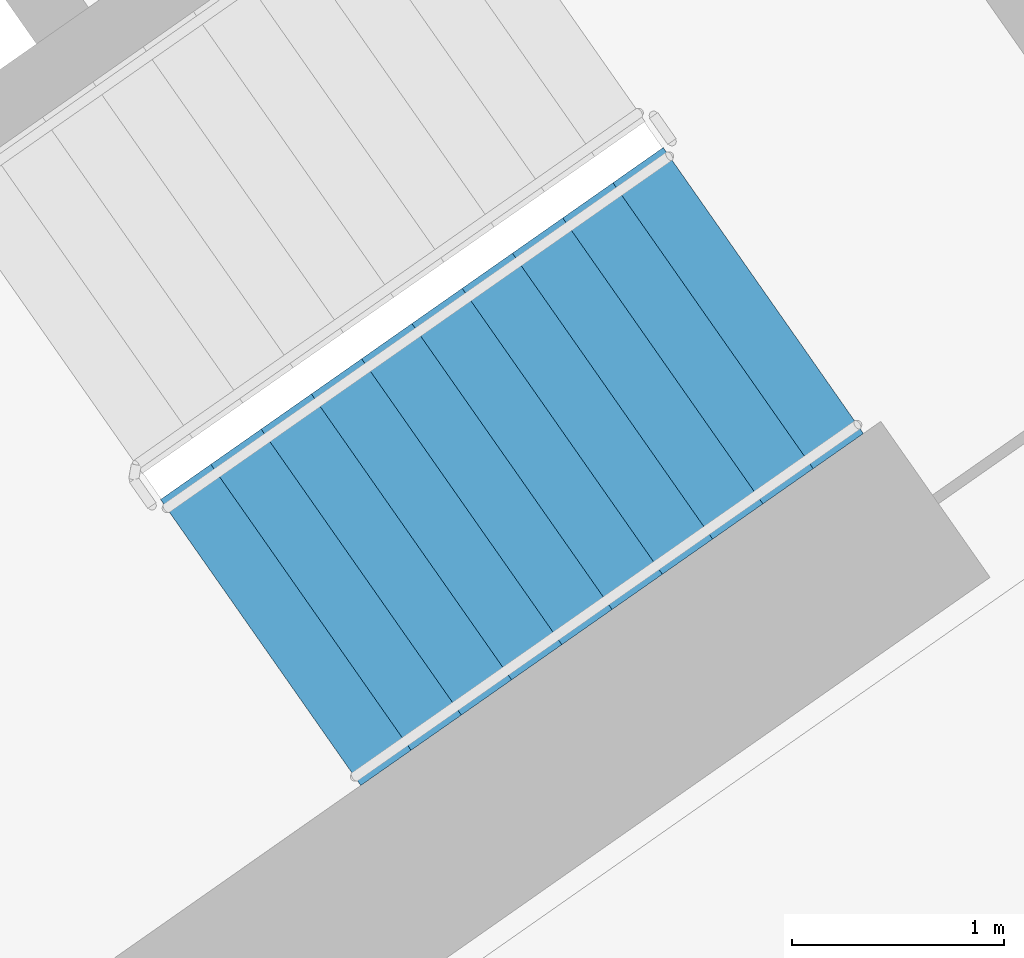
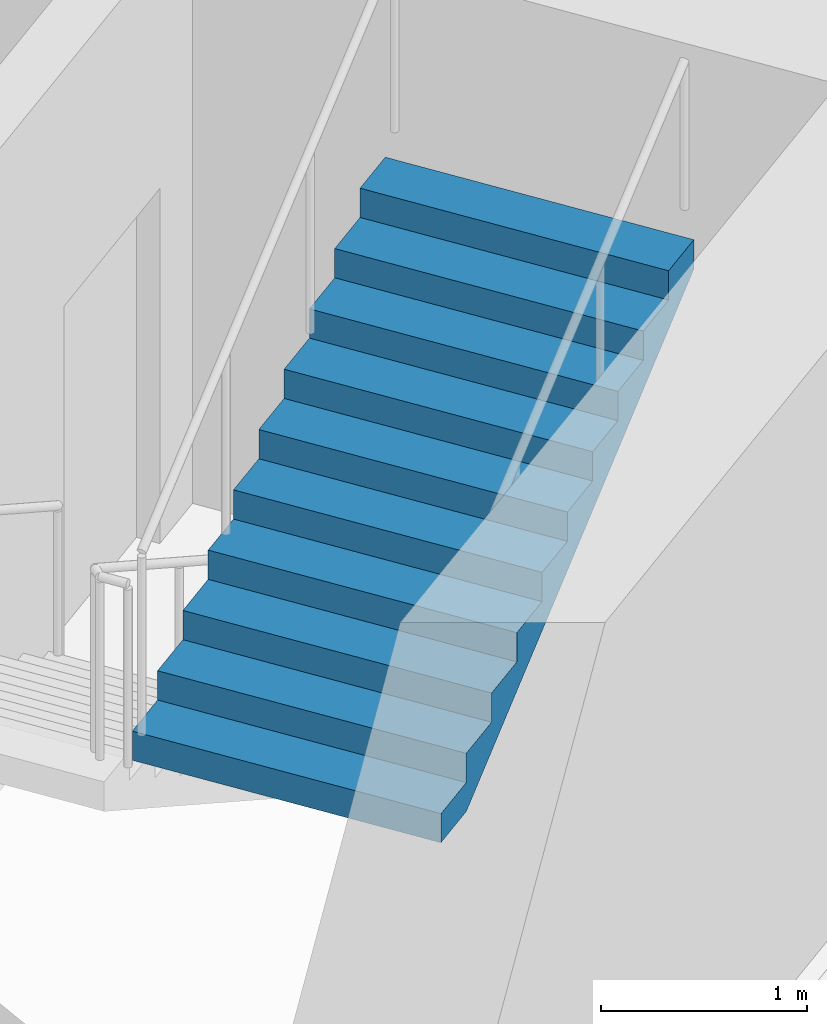
# One storey, part 16 of 30: 1 stair flight, 1 element without a shape of its own.
"""IFC4 building model written with IfcOpenShell, lengths in metres."""

from ifc_helpers import new_model, si_unit, direction, frame, origin, place, context, subcontext, project, spatial, faceted_brep, material, type_object, element, aggregate, save


model = new_model("IFC4")

# Units and contexts
model_context = context("Model", 3, precision=1e-05, world=origin(), true_north=direction((0.0, 1.0)))
body_context = subcontext(model_context, "Body", "Model", "MODEL_VIEW")
ifc_project = project(units=[si_unit("LENGTHUNIT", "METRE"), si_unit("AREAUNIT", "SQUARE_METRE"), si_unit("VOLUMEUNIT", "CUBIC_METRE"), si_unit("PLANEANGLEUNIT", "RADIAN"), si_unit("MASSUNIT", "GRAM", prefix="KILO")], contexts=[model_context])

# Site, building, storey
site_placement = place(None, origin())
site = spatial("IfcSite", under=ifc_project, at=site_placement, CompositionType="ELEMENT")
building_placement = place(site_placement, origin())
building = spatial("IfcBuilding", under=site, at=building_placement, Name="Qamariyya Broadcast Tower", CompositionType="ELEMENT")
storey_placement = place(building_placement, frame((0.0, 0.0, 117.699951171875)))
storey = spatial("IfcBuildingStorey", under=building, at=storey_placement, Name="L26", CompositionType="ELEMENT", Elevation=117.699951171875)

# Stair, stair flight
ifc_material = material(Name="Concrete C50/60", Category="concrete")
stair_type = type_object("IfcStairType", Name="Exit stair 22 risers of 173 mm", PredefinedType="HALF_TURN_STAIR", material=ifc_material)
stair_placement = place(storey_placement, origin())
stair = element("IfcStair", 1, at=stair_placement, inside=storey, type_object=stair_type, Name="L26 Stair E1", PredefinedType="HALF_TURN_STAIR")
stair_flight_type = type_object("IfcStairFlightType", Name="Exit stair flight 11 risers of 173 mm", PredefinedType="STRAIGHT", material=ifc_material)
stair_flight_placement = place(storey_placement, frame((44.693359375, -58.64599609375, 1.900146484375), z_axis=(0.0, 0.0, 1.0), x_axis=(0.819152044289, 0.573576436351, 0.0)))
stair_flight = element("IfcStairFlight", 2, at=stair_flight_placement, type_object=stair_flight_type, Name="ST-E1 flight 2", NumberOfRisers=11, NumberOfTreads=10, PredefinedType="STRAIGHT", RiserHeight=0.172727273, TreadLength=0.29, context=body_context, shape_type="Brep", body=[
    faceted_brep([(0.0, 0.824951171875, 0.0), (0.0, 0.824951171875, 0.172607421875), (0.2900390625, 0.824951171875, 0.172607421875), (0.2900390625, 0.824951171875, 0.345458984375), (0.580078125, 0.824951171875, 0.345458984375), (0.580078125, 0.824951171875, 0.51806640625), (0.8701171875, 0.824951171875, 0.51806640625), (0.8701171875, 0.824951171875, 0.69091796875), (1.159912109375, 0.824951171875, 0.69091796875), (1.159912109375, 0.824951171875, 0.863525390625), (1.449951171875, 0.824951171875, 0.863525390625), (1.449951171875, 0.824951171875, 1.036376953125), (1.739990234375, 0.824951171875, 1.036376953125), (1.739990234375, 0.824951171875, 1.208984375), (2.030029296875, 0.824951171875, 1.208984375), (2.030029296875, 0.824951171875, 1.3818359375), (2.320068359375, 0.824951171875, 1.3818359375), (2.320068359375, 0.824951171875, 1.554443359375), (2.610107421875, 0.824951171875, 1.554443359375), (2.610107421875, 0.824951171875, 1.727294921875), (2.89990234375, 0.824951171875, 1.727294921875), (2.89990234375, 0.824951171875, 1.552734375), (0.29296875, 0.824951171875, 0.0), (0.29296875, -0.824951171875, 0.0), (2.89990234375, -0.824951171875, 1.552734375), (2.89990234375, -0.824951171875, 1.727294921875), (2.610107421875, -0.824951171875, 1.727294921875), (2.610107421875, -0.824951171875, 1.554443359375), (2.320068359375, -0.824951171875, 1.554443359375), (2.320068359375, -0.824951171875, 1.3818359375), (2.030029296875, -0.824951171875, 1.3818359375), (2.030029296875, -0.824951171875, 1.208984375), (1.739990234375, -0.824951171875, 1.208984375), (1.739990234375, -0.824951171875, 1.036376953125), (1.449951171875, -0.824951171875, 1.036376953125), (1.449951171875, -0.824951171875, 0.863525390625), (1.159912109375, -0.824951171875, 0.863525390625), (1.159912109375, -0.824951171875, 0.69091796875), (0.8701171875, -0.824951171875, 0.69091796875), (0.8701171875, -0.824951171875, 0.51806640625), (0.580078125, -0.824951171875, 0.51806640625), (0.580078125, -0.824951171875, 0.345458984375), (0.2900390625, -0.824951171875, 0.345458984375), (0.2900390625, -0.824951171875, 0.172607421875), (0.0, -0.824951171875, 0.172607421875), (0.0, -0.824951171875, 0.0), (0.0, 0.10009765625, 0.0), (0.0, 0.086669921875, 0.0), (0.0, 0.0732421875, 0.0), (0.0, 0.06005859375, 0.0), (0.0, 0.046630859375, 0.0), (0.0, 0.033447265625, 0.0), (0.0, 0.02001953125, 0.0), (0.0, 0.006591796875, 0.0), (0.0, -0.006591796875, 0.0), (0.0, -0.02001953125, 0.0), (0.0, -0.033447265625, 0.0), (0.0, -0.046630859375, 0.0), (0.0, -0.06005859375, 0.0), (0.0, -0.0732421875, 0.0), (0.0, -0.086669921875, 0.0), (0.0, -0.10009765625, 0.0), (0.0, -0.10009765625, 0.172607421875), (0.0, -0.086669921875, 0.172607421875), (0.0, -0.0732421875, 0.172607421875), (0.0, -0.06005859375, 0.172607421875), (0.0, -0.046630859375, 0.172607421875), (0.0, -0.033447265625, 0.172607421875), (0.0, -0.02001953125, 0.172607421875), (0.0, -0.006591796875, 0.172607421875), (0.0, 0.006591796875, 0.172607421875), (0.0, 0.02001953125, 0.172607421875), (0.0, 0.033447265625, 0.172607421875), (0.0, 0.046630859375, 0.172607421875), (0.0, 0.06005859375, 0.172607421875), (0.0, 0.0732421875, 0.172607421875), (0.0, 0.086669921875, 0.172607421875), (0.0, 0.10009765625, 0.172607421875), (0.2900390625, -0.10009765625, 0.172607421875), (0.2900390625, -0.086669921875, 0.172607421875), (0.2900390625, -0.0732421875, 0.172607421875), (0.2900390625, -0.06005859375, 0.172607421875), (0.2900390625, -0.046630859375, 0.172607421875), (0.2900390625, -0.033447265625, 0.172607421875), (0.2900390625, -0.02001953125, 0.172607421875), (0.2900390625, -0.006591796875, 0.172607421875), (0.2900390625, 0.006591796875, 0.172607421875), (0.2900390625, 0.02001953125, 0.172607421875), (0.2900390625, 0.033447265625, 0.172607421875), (0.2900390625, 0.046630859375, 0.172607421875), (0.2900390625, 0.06005859375, 0.172607421875), (0.2900390625, 0.0732421875, 0.172607421875), (0.2900390625, 0.086669921875, 0.172607421875), (0.2900390625, 0.10009765625, 0.172607421875), (0.2900390625, -0.10009765625, 0.345458984375), (0.2900390625, -0.086669921875, 0.345458984375), (0.2900390625, -0.0732421875, 0.345458984375), (0.2900390625, -0.06005859375, 0.345458984375), (0.2900390625, -0.046630859375, 0.345458984375), (0.2900390625, -0.033447265625, 0.345458984375), (0.2900390625, -0.02001953125, 0.345458984375), (0.2900390625, -0.006591796875, 0.345458984375), (0.2900390625, 0.006591796875, 0.345458984375), (0.2900390625, 0.02001953125, 0.345458984375), (0.2900390625, 0.033447265625, 0.345458984375), (0.2900390625, 0.046630859375, 0.345458984375), (0.2900390625, 0.06005859375, 0.345458984375), (0.2900390625, 0.0732421875, 0.345458984375), (0.2900390625, 0.086669921875, 0.345458984375), (0.2900390625, 0.10009765625, 0.345458984375), (0.580078125, -0.10009765625, 0.345458984375), (0.580078125, -0.086669921875, 0.345458984375), (0.580078125, -0.0732421875, 0.345458984375), (0.580078125, -0.06005859375, 0.345458984375), (0.580078125, -0.046630859375, 0.345458984375), (0.580078125, -0.033447265625, 0.345458984375), (0.580078125, -0.02001953125, 0.345458984375), (0.580078125, -0.006591796875, 0.345458984375), (0.580078125, 0.006591796875, 0.345458984375), (0.580078125, 0.02001953125, 0.345458984375), (0.580078125, 0.033447265625, 0.345458984375), (0.580078125, 0.046630859375, 0.345458984375), (0.580078125, 0.06005859375, 0.345458984375), (0.580078125, 0.0732421875, 0.345458984375), (0.580078125, 0.086669921875, 0.345458984375), (0.580078125, 0.10009765625, 0.345458984375), (0.580078125, -0.10009765625, 0.51806640625), (0.580078125, -0.086669921875, 0.51806640625), (0.580078125, -0.0732421875, 0.51806640625), (0.580078125, -0.06005859375, 0.51806640625), (0.580078125, -0.046630859375, 0.51806640625), (0.580078125, -0.033447265625, 0.51806640625), (0.580078125, -0.02001953125, 0.51806640625), (0.580078125, -0.006591796875, 0.51806640625), (0.580078125, 0.006591796875, 0.51806640625), (0.580078125, 0.02001953125, 0.51806640625), (0.580078125, 0.033447265625, 0.51806640625), (0.580078125, 0.046630859375, 0.51806640625), (0.580078125, 0.06005859375, 0.51806640625), (0.580078125, 0.0732421875, 0.51806640625), (0.580078125, 0.086669921875, 0.51806640625), (0.580078125, 0.10009765625, 0.51806640625), (0.8701171875, -0.10009765625, 0.51806640625), (0.8701171875, -0.086669921875, 0.51806640625), (0.8701171875, -0.0732421875, 0.51806640625), (0.8701171875, -0.06005859375, 0.51806640625), (0.8701171875, -0.046630859375, 0.51806640625), (0.8701171875, -0.033447265625, 0.51806640625), (0.8701171875, -0.02001953125, 0.51806640625), (0.8701171875, -0.006591796875, 0.51806640625), (0.8701171875, 0.006591796875, 0.51806640625), (0.8701171875, 0.02001953125, 0.51806640625), (0.8701171875, 0.033447265625, 0.51806640625), (0.8701171875, 0.046630859375, 0.51806640625), (0.8701171875, 0.06005859375, 0.51806640625), (0.8701171875, 0.0732421875, 0.51806640625), (0.8701171875, 0.086669921875, 0.51806640625), (0.8701171875, 0.10009765625, 0.51806640625), (0.8701171875, -0.10009765625, 0.69091796875), (0.8701171875, -0.086669921875, 0.69091796875), (0.8701171875, -0.0732421875, 0.69091796875), (0.8701171875, -0.06005859375, 0.69091796875), (0.8701171875, -0.046630859375, 0.69091796875), (0.8701171875, -0.033447265625, 0.69091796875), (0.8701171875, -0.02001953125, 0.69091796875), (0.8701171875, -0.006591796875, 0.69091796875), (0.8701171875, 0.006591796875, 0.69091796875), (0.8701171875, 0.02001953125, 0.69091796875), (0.8701171875, 0.033447265625, 0.69091796875), (0.8701171875, 0.046630859375, 0.69091796875), (0.8701171875, 0.06005859375, 0.69091796875), (0.8701171875, 0.0732421875, 0.69091796875), (0.8701171875, 0.086669921875, 0.69091796875), (0.8701171875, 0.10009765625, 0.69091796875), (1.159912109375, -0.10009765625, 0.69091796875), (1.159912109375, -0.086669921875, 0.69091796875), (1.159912109375, -0.0732421875, 0.69091796875), (1.159912109375, -0.06005859375, 0.69091796875), (1.159912109375, -0.046630859375, 0.69091796875), (1.159912109375, -0.033447265625, 0.69091796875), (1.159912109375, -0.02001953125, 0.69091796875), (1.159912109375, -0.006591796875, 0.69091796875), (1.159912109375, 0.006591796875, 0.69091796875), (1.159912109375, 0.02001953125, 0.69091796875), (1.159912109375, 0.033447265625, 0.69091796875), (1.159912109375, 0.046630859375, 0.69091796875), (1.159912109375, 0.06005859375, 0.69091796875), (1.159912109375, 0.0732421875, 0.69091796875), (1.159912109375, 0.086669921875, 0.69091796875), (1.159912109375, 0.10009765625, 0.69091796875), (1.159912109375, -0.10009765625, 0.863525390625), (1.159912109375, -0.086669921875, 0.863525390625), (1.159912109375, -0.0732421875, 0.863525390625), (1.159912109375, -0.06005859375, 0.863525390625), (1.159912109375, -0.046630859375, 0.863525390625), (1.159912109375, -0.033447265625, 0.863525390625), (1.159912109375, -0.02001953125, 0.863525390625), (1.159912109375, -0.006591796875, 0.863525390625), (1.159912109375, 0.006591796875, 0.863525390625), (1.159912109375, 0.02001953125, 0.863525390625), (1.159912109375, 0.033447265625, 0.863525390625), (1.159912109375, 0.046630859375, 0.863525390625), (1.159912109375, 0.06005859375, 0.863525390625), (1.159912109375, 0.0732421875, 0.863525390625), (1.159912109375, 0.086669921875, 0.863525390625), (1.159912109375, 0.10009765625, 0.863525390625), (1.449951171875, -0.10009765625, 0.863525390625), (1.449951171875, -0.086669921875, 0.863525390625), (1.449951171875, -0.0732421875, 0.863525390625), (1.449951171875, -0.06005859375, 0.863525390625), (1.449951171875, -0.046630859375, 0.863525390625), (1.449951171875, -0.033447265625, 0.863525390625), (1.449951171875, -0.02001953125, 0.863525390625), (1.449951171875, -0.006591796875, 0.863525390625), (1.449951171875, 0.006591796875, 0.863525390625), (1.449951171875, 0.02001953125, 0.863525390625), (1.449951171875, 0.033447265625, 0.863525390625), (1.449951171875, 0.046630859375, 0.863525390625), (1.449951171875, 0.06005859375, 0.863525390625), (1.449951171875, 0.0732421875, 0.863525390625), (1.449951171875, 0.086669921875, 0.863525390625), (1.449951171875, 0.10009765625, 0.863525390625), (1.449951171875, -0.10009765625, 1.036376953125), (1.449951171875, -0.086669921875, 1.036376953125), (1.449951171875, -0.0732421875, 1.036376953125), (1.449951171875, -0.06005859375, 1.036376953125), (1.449951171875, -0.046630859375, 1.036376953125), (1.449951171875, -0.033447265625, 1.036376953125), (1.449951171875, -0.02001953125, 1.036376953125), (1.449951171875, -0.006591796875, 1.036376953125), (1.449951171875, 0.006591796875, 1.036376953125), (1.449951171875, 0.02001953125, 1.036376953125), (1.449951171875, 0.033447265625, 1.036376953125), (1.449951171875, 0.046630859375, 1.036376953125), (1.449951171875, 0.06005859375, 1.036376953125), (1.449951171875, 0.0732421875, 1.036376953125), (1.449951171875, 0.086669921875, 1.036376953125), (1.449951171875, 0.10009765625, 1.036376953125), (1.739990234375, -0.10009765625, 1.036376953125), (1.739990234375, -0.086669921875, 1.036376953125), (1.739990234375, -0.0732421875, 1.036376953125), (1.739990234375, -0.06005859375, 1.036376953125), (1.739990234375, -0.046630859375, 1.036376953125), (1.739990234375, -0.033447265625, 1.036376953125), (1.739990234375, -0.02001953125, 1.036376953125), (1.739990234375, -0.006591796875, 1.036376953125), (1.739990234375, 0.006591796875, 1.036376953125), (1.739990234375, 0.02001953125, 1.036376953125), (1.739990234375, 0.033447265625, 1.036376953125), (1.739990234375, 0.046630859375, 1.036376953125), (1.739990234375, 0.06005859375, 1.036376953125), (1.739990234375, 0.0732421875, 1.036376953125), (1.739990234375, 0.086669921875, 1.036376953125), (1.739990234375, 0.10009765625, 1.036376953125), (1.739990234375, -0.10009765625, 1.208984375), (1.739990234375, -0.086669921875, 1.208984375), (1.739990234375, -0.0732421875, 1.208984375), (1.739990234375, -0.06005859375, 1.208984375), (1.739990234375, -0.046630859375, 1.208984375), (1.739990234375, -0.033447265625, 1.208984375), (1.739990234375, -0.02001953125, 1.208984375), (1.739990234375, -0.006591796875, 1.208984375), (1.739990234375, 0.006591796875, 1.208984375), (1.739990234375, 0.02001953125, 1.208984375), (1.739990234375, 0.033447265625, 1.208984375), (1.739990234375, 0.046630859375, 1.208984375), (1.739990234375, 0.06005859375, 1.208984375), (1.739990234375, 0.0732421875, 1.208984375), (1.739990234375, 0.086669921875, 1.208984375), (1.739990234375, 0.10009765625, 1.208984375), (2.030029296875, -0.10009765625, 1.208984375), (2.030029296875, -0.086669921875, 1.208984375), (2.030029296875, -0.0732421875, 1.208984375), (2.030029296875, -0.06005859375, 1.208984375), (2.030029296875, -0.046630859375, 1.208984375), (2.030029296875, -0.033447265625, 1.208984375), (2.030029296875, -0.02001953125, 1.208984375), (2.030029296875, -0.006591796875, 1.208984375), (2.030029296875, 0.006591796875, 1.208984375), (2.030029296875, 0.02001953125, 1.208984375), (2.030029296875, 0.033447265625, 1.208984375), (2.030029296875, 0.046630859375, 1.208984375), (2.030029296875, 0.06005859375, 1.208984375), (2.030029296875, 0.0732421875, 1.208984375), (2.030029296875, 0.086669921875, 1.208984375), (2.030029296875, 0.10009765625, 1.208984375), (2.030029296875, -0.10009765625, 1.3818359375), (2.030029296875, -0.086669921875, 1.3818359375), (2.030029296875, -0.0732421875, 1.3818359375), (2.030029296875, -0.06005859375, 1.3818359375), (2.030029296875, -0.046630859375, 1.3818359375), (2.030029296875, -0.033447265625, 1.3818359375), (2.030029296875, -0.02001953125, 1.3818359375), (2.030029296875, -0.006591796875, 1.3818359375), (2.030029296875, 0.006591796875, 1.3818359375), (2.030029296875, 0.02001953125, 1.3818359375), (2.030029296875, 0.033447265625, 1.3818359375), (2.030029296875, 0.046630859375, 1.3818359375), (2.030029296875, 0.06005859375, 1.3818359375), (2.030029296875, 0.0732421875, 1.3818359375), (2.030029296875, 0.086669921875, 1.3818359375), (2.030029296875, 0.10009765625, 1.3818359375), (2.320068359375, -0.10009765625, 1.3818359375), (2.320068359375, -0.086669921875, 1.3818359375), (2.320068359375, -0.0732421875, 1.3818359375), (2.320068359375, -0.06005859375, 1.3818359375), (2.320068359375, -0.046630859375, 1.3818359375), (2.320068359375, -0.033447265625, 1.3818359375), (2.320068359375, -0.02001953125, 1.3818359375), (2.320068359375, -0.006591796875, 1.3818359375), (2.320068359375, 0.006591796875, 1.3818359375), (2.320068359375, 0.02001953125, 1.3818359375), (2.320068359375, 0.033447265625, 1.3818359375), (2.320068359375, 0.046630859375, 1.3818359375), (2.320068359375, 0.06005859375, 1.3818359375), (2.320068359375, 0.0732421875, 1.3818359375), (2.320068359375, 0.086669921875, 1.3818359375), (2.320068359375, 0.10009765625, 1.3818359375), (2.320068359375, -0.10009765625, 1.554443359375), (2.320068359375, -0.086669921875, 1.554443359375), (2.320068359375, -0.0732421875, 1.554443359375), (2.320068359375, -0.06005859375, 1.554443359375), (2.320068359375, -0.046630859375, 1.554443359375), (2.320068359375, -0.033447265625, 1.554443359375), (2.320068359375, -0.02001953125, 1.554443359375), (2.320068359375, -0.006591796875, 1.554443359375), (2.320068359375, 0.006591796875, 1.554443359375), (2.320068359375, 0.02001953125, 1.554443359375), (2.320068359375, 0.033447265625, 1.554443359375), (2.320068359375, 0.046630859375, 1.554443359375), (2.320068359375, 0.06005859375, 1.554443359375), (2.320068359375, 0.0732421875, 1.554443359375), (2.320068359375, 0.086669921875, 1.554443359375), (2.320068359375, 0.10009765625, 1.554443359375), (2.610107421875, -0.10009765625, 1.554443359375), (2.610107421875, -0.086669921875, 1.554443359375), (2.610107421875, -0.0732421875, 1.554443359375), (2.610107421875, -0.06005859375, 1.554443359375), (2.610107421875, -0.046630859375, 1.554443359375), (2.610107421875, -0.033447265625, 1.554443359375), (2.610107421875, -0.02001953125, 1.554443359375), (2.610107421875, -0.006591796875, 1.554443359375), (2.610107421875, 0.006591796875, 1.554443359375), (2.610107421875, 0.02001953125, 1.554443359375), (2.610107421875, 0.033447265625, 1.554443359375), (2.610107421875, 0.046630859375, 1.554443359375), (2.610107421875, 0.06005859375, 1.554443359375), (2.610107421875, 0.0732421875, 1.554443359375), (2.610107421875, 0.086669921875, 1.554443359375), (2.610107421875, 0.10009765625, 1.554443359375), (2.610107421875, -0.10009765625, 1.727294921875), (2.610107421875, -0.086669921875, 1.727294921875), (2.610107421875, -0.0732421875, 1.727294921875), (2.610107421875, -0.06005859375, 1.727294921875), (2.610107421875, -0.046630859375, 1.727294921875), (2.610107421875, -0.033447265625, 1.727294921875), (2.610107421875, -0.02001953125, 1.727294921875), (2.610107421875, -0.006591796875, 1.727294921875), (2.610107421875, 0.006591796875, 1.727294921875), (2.610107421875, 0.02001953125, 1.727294921875), (2.610107421875, 0.033447265625, 1.727294921875), (2.610107421875, 0.046630859375, 1.727294921875), (2.610107421875, 0.06005859375, 1.727294921875), (2.610107421875, 0.0732421875, 1.727294921875), (2.610107421875, 0.086669921875, 1.727294921875), (2.610107421875, 0.10009765625, 1.727294921875), (2.89990234375, -0.10009765625, 1.727294921875), (2.89990234375, -0.086669921875, 1.727294921875), (2.89990234375, -0.0732421875, 1.727294921875), (2.89990234375, -0.06005859375, 1.727294921875), (2.89990234375, -0.046630859375, 1.727294921875), (2.89990234375, -0.033447265625, 1.727294921875), (2.89990234375, -0.02001953125, 1.727294921875), (2.89990234375, -0.006591796875, 1.727294921875), (2.89990234375, 0.006591796875, 1.727294921875), (2.89990234375, 0.02001953125, 1.727294921875), (2.89990234375, 0.033447265625, 1.727294921875), (2.89990234375, 0.046630859375, 1.727294921875), (2.89990234375, 0.06005859375, 1.727294921875), (2.89990234375, 0.0732421875, 1.727294921875), (2.89990234375, 0.086669921875, 1.727294921875), (2.89990234375, 0.10009765625, 1.727294921875), (2.89990234375, -0.10009765625, 1.552734375), (2.89990234375, -0.086669921875, 1.552734375), (2.89990234375, -0.0732421875, 1.552734375), (2.89990234375, -0.06005859375, 1.552734375), (2.89990234375, -0.046630859375, 1.552734375), (2.89990234375, -0.033447265625, 1.552734375), (2.89990234375, -0.02001953125, 1.552734375), (2.89990234375, -0.006591796875, 1.552734375), (2.89990234375, 0.006591796875, 1.552734375), (2.89990234375, 0.02001953125, 1.552734375), (2.89990234375, 0.033447265625, 1.552734375), (2.89990234375, 0.046630859375, 1.552734375), (2.89990234375, 0.06005859375, 1.552734375), (2.89990234375, 0.0732421875, 1.552734375), (2.89990234375, 0.086669921875, 1.552734375), (2.89990234375, 0.10009765625, 1.552734375), (0.29296875, -0.10009765625, 0.0), (0.29296875, -0.086669921875, 0.0), (0.29296875, -0.0732421875, 0.0), (0.29296875, -0.06005859375, 0.0), (0.29296875, -0.046630859375, 0.0), (0.29296875, -0.033447265625, 0.0), (0.29296875, -0.02001953125, 0.0), (0.29296875, -0.006591796875, 0.0), (0.29296875, 0.006591796875, 0.0), (0.29296875, 0.02001953125, 0.0), (0.29296875, 0.033447265625, 0.0), (0.29296875, 0.046630859375, 0.0), (0.29296875, 0.06005859375, 0.0), (0.29296875, 0.0732421875, 0.0), (0.29296875, 0.086669921875, 0.0), (0.29296875, 0.10009765625, 0.0)], [[[0, 1, 2, 3, 4, 5, 6, 7, 8, 9, 10, 11, 12, 13, 14, 15, 16, 17, 18, 19, 20, 21, 22]], [[23, 24, 25, 26, 27, 28, 29, 30, 31, 32, 33, 34, 35, 36, 37, 38, 39, 40, 41, 42, 43, 44, 45]], [[0, 46, 47, 48, 49, 50, 51, 52, 53, 54, 55, 56, 57, 58, 59, 60, 61, 45, 44, 62, 63, 64, 65, 66, 67, 68, 69, 70, 71, 72, 73, 74, 75, 76, 77, 1]], [[1, 77, 76, 75, 74, 73, 72, 71, 70, 69, 68, 67, 66, 65, 64, 63, 62, 44, 43, 78, 79, 80, 81, 82, 83, 84, 85, 86, 87, 88, 89, 90, 91, 92, 93, 2]], [[2, 93, 92, 91, 90, 89, 88, 87, 86, 85, 84, 83, 82, 81, 80, 79, 78, 43, 42, 94, 95, 96, 97, 98, 99, 100, 101, 102, 103, 104, 105, 106, 107, 108, 109, 3]], [[3, 109, 108, 107, 106, 105, 104, 103, 102, 101, 100, 99, 98, 97, 96, 95, 94, 42, 41, 110, 111, 112, 113, 114, 115, 116, 117, 118, 119, 120, 121, 122, 123, 124, 125, 4]], [[4, 125, 124, 123, 122, 121, 120, 119, 118, 117, 116, 115, 114, 113, 112, 111, 110, 41, 40, 126, 127, 128, 129, 130, 131, 132, 133, 134, 135, 136, 137, 138, 139, 140, 141, 5]], [[5, 141, 140, 139, 138, 137, 136, 135, 134, 133, 132, 131, 130, 129, 128, 127, 126, 40, 39, 142, 143, 144, 145, 146, 147, 148, 149, 150, 151, 152, 153, 154, 155, 156, 157, 6]], [[6, 157, 156, 155, 154, 153, 152, 151, 150, 149, 148, 147, 146, 145, 144, 143, 142, 39, 38, 158, 159, 160, 161, 162, 163, 164, 165, 166, 167, 168, 169, 170, 171, 172, 173, 7]], [[7, 173, 172, 171, 170, 169, 168, 167, 166, 165, 164, 163, 162, 161, 160, 159, 158, 38, 37, 174, 175, 176, 177, 178, 179, 180, 181, 182, 183, 184, 185, 186, 187, 188, 189, 8]], [[8, 189, 188, 187, 186, 185, 184, 183, 182, 181, 180, 179, 178, 177, 176, 175, 174, 37, 36, 190, 191, 192, 193, 194, 195, 196, 197, 198, 199, 200, 201, 202, 203, 204, 205, 9]], [[9, 205, 204, 203, 202, 201, 200, 199, 198, 197, 196, 195, 194, 193, 192, 191, 190, 36, 35, 206, 207, 208, 209, 210, 211, 212, 213, 214, 215, 216, 217, 218, 219, 220, 221, 10]], [[10, 221, 220, 219, 218, 217, 216, 215, 214, 213, 212, 211, 210, 209, 208, 207, 206, 35, 34, 222, 223, 224, 225, 226, 227, 228, 229, 230, 231, 232, 233, 234, 235, 236, 237, 11]], [[11, 237, 236, 235, 234, 233, 232, 231, 230, 229, 228, 227, 226, 225, 224, 223, 222, 34, 33, 238, 239, 240, 241, 242, 243, 244, 245, 246, 247, 248, 249, 250, 251, 252, 253, 12]], [[12, 253, 252, 251, 250, 249, 248, 247, 246, 245, 244, 243, 242, 241, 240, 239, 238, 33, 32, 254, 255, 256, 257, 258, 259, 260, 261, 262, 263, 264, 265, 266, 267, 268, 269, 13]], [[13, 269, 268, 267, 266, 265, 264, 263, 262, 261, 260, 259, 258, 257, 256, 255, 254, 32, 31, 270, 271, 272, 273, 274, 275, 276, 277, 278, 279, 280, 281, 282, 283, 284, 285, 14]], [[14, 285, 284, 283, 282, 281, 280, 279, 278, 277, 276, 275, 274, 273, 272, 271, 270, 31, 30, 286, 287, 288, 289, 290, 291, 292, 293, 294, 295, 296, 297, 298, 299, 300, 301, 15]], [[15, 301, 300, 299, 298, 297, 296, 295, 294, 293, 292, 291, 290, 289, 288, 287, 286, 30, 29, 302, 303, 304, 305, 306, 307, 308, 309, 310, 311, 312, 313, 314, 315, 316, 317, 16]], [[16, 317, 316, 315, 314, 313, 312, 311, 310, 309, 308, 307, 306, 305, 304, 303, 302, 29, 28, 318, 319, 320, 321, 322, 323, 324, 325, 326, 327, 328, 329, 330, 331, 332, 333, 17]], [[17, 333, 332, 331, 330, 329, 328, 327, 326, 325, 324, 323, 322, 321, 320, 319, 318, 28, 27, 334, 335, 336, 337, 338, 339, 340, 341, 342, 343, 344, 345, 346, 347, 348, 349, 18]], [[18, 349, 348, 347, 346, 345, 344, 343, 342, 341, 340, 339, 338, 337, 336, 335, 334, 27, 26, 350, 351, 352, 353, 354, 355, 356, 357, 358, 359, 360, 361, 362, 363, 364, 365, 19]], [[19, 365, 364, 363, 362, 361, 360, 359, 358, 357, 356, 355, 354, 353, 352, 351, 350, 26, 25, 366, 367, 368, 369, 370, 371, 372, 373, 374, 375, 376, 377, 378, 379, 380, 381, 20]], [[20, 381, 380, 379, 378, 377, 376, 375, 374, 373, 372, 371, 370, 369, 368, 367, 366, 25, 24, 382, 383, 384, 385, 386, 387, 388, 389, 390, 391, 392, 393, 394, 395, 396, 397, 21]], [[21, 397, 396, 395, 394, 393, 392, 391, 390, 389, 388, 387, 386, 385, 384, 383, 382, 24, 23, 398, 399, 400, 401, 402, 403, 404, 405, 406, 407, 408, 409, 410, 411, 412, 413, 22]], [[22, 413, 412, 411, 410, 409, 408, 407, 406, 405, 404, 403, 402, 401, 400, 399, 398, 23, 45, 61, 60, 59, 58, 57, 56, 55, 54, 53, 52, 51, 50, 49, 48, 47, 46, 0]]]),
])
aggregate(stair, [stair_flight])

save(model, "model.ifc")
